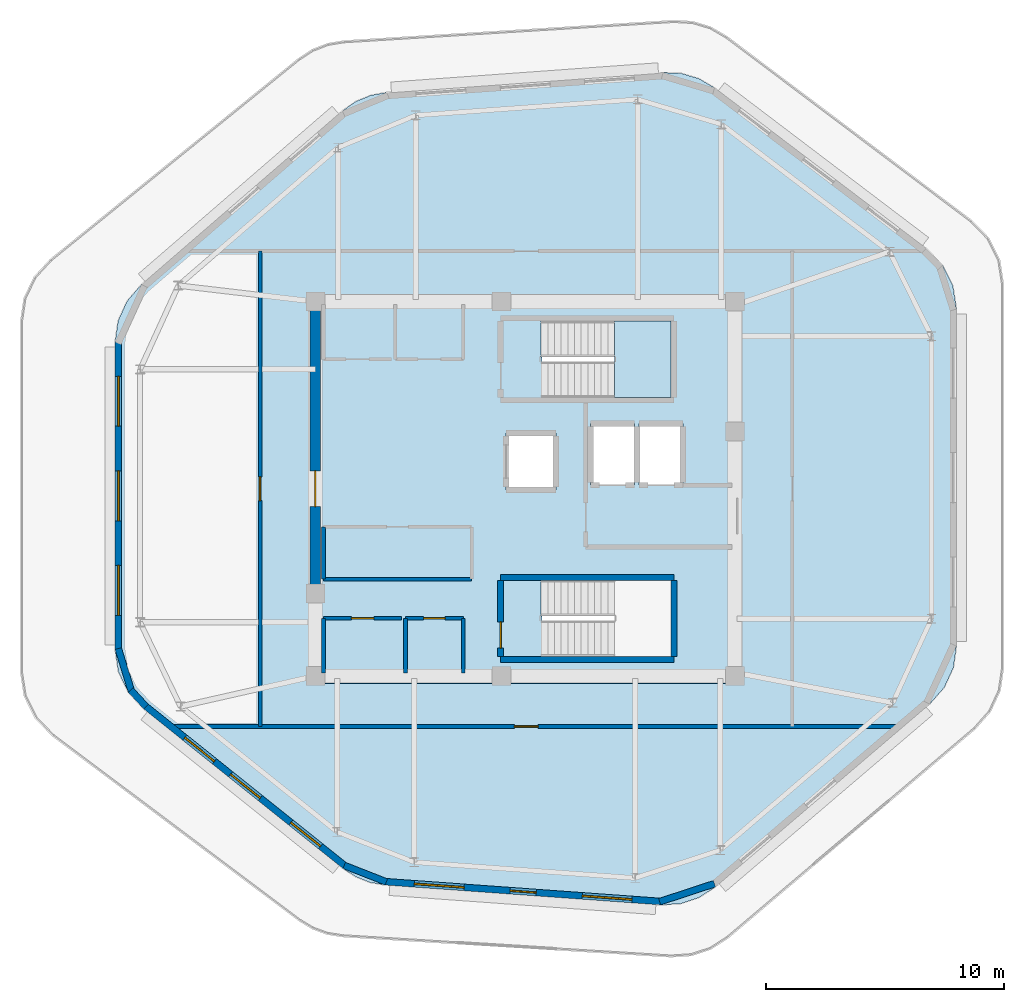
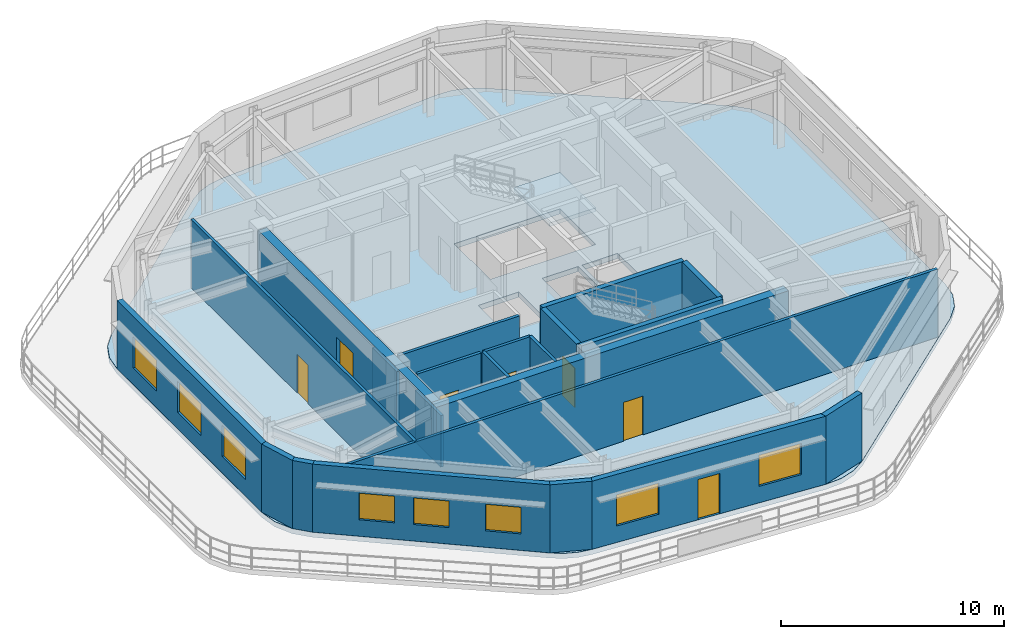
# One storey, part 2 of 7: 22 walls, 8 windows, 7 doors, 2 slabs, 15 openings, 1 element without a shape of its own.
"""IFC4 building model written with IfcOpenShell, lengths in metres."""

from ifc_helpers import new_model, si_unit, direction, frame, frame_2d, origin, place, context, subcontext, project, spatial, polyline, rectangle, outline, extrude, material, layer, layer_set, type_object, element, fill, aggregate, save


model = new_model("IFC4")

# Units and contexts
model_context = context("Model", 3, precision=1e-05, world=origin(), true_north=direction((0.0, 1.0)))
body_context = subcontext(model_context, "Body", "Model", "MODEL_VIEW")
ifc_project = project(units=[si_unit("LENGTHUNIT", "METRE"), si_unit("AREAUNIT", "SQUARE_METRE"), si_unit("VOLUMEUNIT", "CUBIC_METRE"), si_unit("PLANEANGLEUNIT", "RADIAN"), si_unit("MASSUNIT", "GRAM", prefix="KILO")], contexts=[model_context])

# Site, building, storey
site_placement = place(None, origin())
site = spatial("IfcSite", under=ifc_project, at=site_placement, CompositionType="ELEMENT")
building_placement = place(site_placement, origin())
building = spatial("IfcBuilding", under=site, at=building_placement, Name="Zulverin Broadcast Headquarters", CompositionType="ELEMENT")
storey_placement = place(building_placement, frame((0.0, 0.0, 321.39990234375)))
storey = spatial("IfcBuildingStorey", under=building, at=storey_placement, Name="C3", CompositionType="ELEMENT", Elevation=321.39990234375)

# Slab
ifc_material_1 = material(Name="Concrete C40/50", Category="concrete")
ifc_layer_1 = layer(ifc_material_1, 0.280029296875, Name="Concrete C40/50", Category="concrete")
ifc_layer_set_1 = layer_set([ifc_layer_1], Name="Concrete C40/50")
slab_type_1 = type_object("IfcSlabType", Name="SLB-CRN-280", PredefinedType="FLOOR", material=ifc_layer_set_1)
slab_1_placement = place(storey_placement, frame((0.0, 0.0, -0.27978515625)))
element("IfcSlab", 1, at=slab_1_placement, inside=storey, type_object=slab_type_1, Name="C3 Main Structural Floor Slab", PredefinedType="FLOOR", context=body_context, shape_type="SweptSolid", body=[
    extrude(outline(polyline([(31.790771484375, 9.22216796875), (32.330078125, 8.873046875), (32.927978515625, 8.638671875), (33.56103515625, 8.528564453125), (45.155029296875, 7.694091796875), (45.981689453125, 7.7421875), (46.768310546875, 8.00048828125), (47.462158203125, 8.451904296875), (56.477294921875, 16.14599609375), (57.083251953125, 16.83642578125), (57.468017578125, 17.670654296875), (57.60009765625, 18.579833984375), (57.60009765625, 32.762939453125), (57.4501953125, 33.730712890625), (57.014404296875, 34.60791015625), (56.333984375, 35.3125), (47.4248046875, 42.071044921875), (46.7626953125, 42.4580078125), (46.027099609375, 42.676513671875), (45.260986328125, 42.71337890625), (33.627685546875, 41.876220703125), (32.9560546875, 41.7548828125), (32.3251953125, 41.493896484375), (31.764404296875, 41.105224609375), (23.30712890625, 33.793212890625), (22.709228515625, 33.1044921875), (22.330078125, 32.275146484375), (22.199951171875, 31.37255859375), (22.199951171875, 18.4375), (22.341552734375, 17.49609375), (22.75390625, 16.637939453125), (23.400146484375, 15.939208984375), (31.790771484375, 9.22216796875)]), holes=[polyline([(40.155029296875, 30.75), (40.13037109375, 30.75), (40.13037109375, 32.25), (45.60009765625, 32.25), (45.60009765625, 29.050048828125), (40.155029296875, 29.050048828125), (40.155029296875, 30.75)]), polyline([(40.155029296875, 19.85009765625), (40.13037109375, 19.85009765625), (40.13037109375, 21.35009765625), (45.60009765625, 21.35009765625), (45.60009765625, 18.14990234375), (40.155029296875, 18.14990234375), (40.155029296875, 19.85009765625)]), polyline([(42.199951171875, 25.35009765625), (44.050048828125, 25.35009765625), (44.050048828125, 27.949951171875), (42.199951171875, 27.949951171875), (42.199951171875, 25.35009765625)]), polyline([(44.25, 25.35009765625), (46.10009765625, 25.35009765625), (46.10009765625, 27.949951171875), (44.25, 27.949951171875), (44.25, 25.35009765625)]), polyline([(38.64990234375, 25.14990234375), (40.75, 25.14990234375), (40.75, 27.550048828125), (38.64990234375, 27.550048828125), (38.64990234375, 25.14990234375)])]), origin(), (0.0, 0.0, 1.0), 0.27978515625),
])

# Stair, slab
stair_type = type_object("IfcStairType", Name="ST-CORE-1500", PredefinedType="HALF_TURN_STAIR", material=ifc_material_1)
stair_placement = place(storey_placement, origin())
stair = element("IfcStair", 2, at=stair_placement, inside=storey, type_object=stair_type, Name="C3 Core Exit Stair ST-1", PredefinedType="HALF_TURN_STAIR")
ifc_layer_2 = layer(ifc_material_1, 0.199951171875, Name="Concrete C40/50", Category="concrete")
ifc_layer_set_2 = layer_set([ifc_layer_2], Name="Concrete C40/50")
slab_type_2 = type_object("IfcSlabType", Name="SLB-ST-LND200", PredefinedType="LANDING", material=ifc_layer_set_2)
slab_2_placement = place(storey_placement, frame((0.0, 0.0, 1.800048828125)))
slab_2 = element("IfcSlab", 3, at=slab_2_placement, type_object=slab_type_2, Name="ST-1 landing 1", PredefinedType="LANDING", context=body_context, shape_type="SweptSolid", body=[
    extrude(outline(polyline([(43.2099609375, 29.050048828125), (45.60009765625, 29.050048828125), (45.60009765625, 32.25), (43.2099609375, 32.25), (43.2099609375, 29.050048828125)])), origin(), (0.0, 0.0, 1.0), 0.199951171875),
])
aggregate(stair, [slab_2])

# Wall
ifc_material_2 = material(Name="Concrete C50/60", Category="concrete")
ifc_layer_3 = layer(ifc_material_2, 0.449951171875, Name="Concrete C50/60", Category="concrete")
ifc_layer_set_3 = layer_set([ifc_layer_3], Name="Concrete C50/60")
wall_type_1 = type_object("IfcWallType", Name="WL-CORE-450", PredefinedType="SHEAR", material=ifc_layer_set_3)
wall_1_placement = place(storey_placement, frame((30.39990234375, 17.22509765625, 0.0), z_axis=(0.0, 0.0, 1.0), x_axis=(1.0, 0.0, 0.0)))
element("IfcWall", 4, at=wall_1_placement, inside=storey, type_object=wall_type_1, Name="C3 Core South Shear Wall", PredefinedType="SHEAR", context=body_context, shape_type="SweptSolid", body=[
    extrude(rectangle(XDim=18.2001953125, YDim=0.449951171875, at=frame_2d((9.10009765625, 0.0))), origin(), (0.0, 0.0, 1.0), 3.72021484375),
])

# Wall, opening, door
wall_2_placement = place(storey_placement, frame((30.625, 17.449951171875, 0.0), z_axis=(0.0, 0.0, 1.0), x_axis=(0.0, 1.0, 0.0)))
wall_2 = element("IfcWall", 5, at=wall_2_placement, inside=storey, type_object=wall_type_1, Name="C3 Core West Shear Wall", PredefinedType="SHEAR", context=body_context, shape_type="SweptSolid", body=[
    extrude(rectangle(XDim=15.5, YDim=0.449951171875, at=frame_2d((7.75, 0.0))), origin(), (0.0, 0.0, 1.0), 3.72021484375),
])
opening_1_placement = place(wall_2_placement, frame((7.0, 0.0, 0.0)))
opening_1 = element("IfcOpeningElement", 6, at=opening_1_placement, cuts=wall_2, Name="Opening D-C3-CW1", PredefinedType="OPENING", context=body_context, shape_type="SweptSolid", body=[
    extrude(rectangle(XDim=1.5, YDim=2.14990234375, at=frame_2d((0.75, 1.074951171875))), frame((0.0, 0.23486328125, 0.0), z_axis=(0.0, -1.0, 0.0), x_axis=(1.0, 0.0, 0.0)), (0.0, 0.0, 1.0), 0.469970703125),
])
ifc_material_3 = material(Name="Fire-rated glazed steel frame", Category="steel")
door_type_1 = type_object("IfcDoorType", Name="DR-COR-1500", OperationType="DOUBLE_DOOR_SINGLE_SWING", PredefinedType="DOOR", material=ifc_material_3)
door_1_placement = place(opening_1_placement, origin())
door_1 = element("IfcDoor", 7, at=door_1_placement, inside=storey, type_object=door_type_1, Name="C3 Central Lift Lobby West Portal Door", OperationType="DOUBLE_DOOR_SINGLE_SWING", OverallHeight=2.14990234375, OverallWidth=1.5, PredefinedType="DOOR", context=body_context, shape_type="SweptSolid", body=[
    extrude(rectangle(XDim=1.5, YDim=2.14990234375, at=frame_2d((0.75, 1.074951171875))), frame((0.0, 0.02490234375, 0.0), z_axis=(0.0, -1.0, 0.0), x_axis=(1.0, 0.0, 0.0)), (0.0, 0.0, 1.0), 0.050048828125),
])
fill(opening_1, door_1)

# Wall, openings, door, windows
ifc_material_4 = material(Name="Insulated pale-metal clad concrete spandrel C40/50", Category="concrete")
ifc_layer_4 = layer(ifc_material_4, 0.280029296875, Name="Insulated pale-metal clad concrete spandrel C40/50", Category="concrete")
ifc_layer_set_4 = layer_set([ifc_layer_4], Name="Insulated pale-metal clad concrete spandrel C40/50")
wall_type_2 = type_object("IfcWallType", Name="WL-EXT-280", PredefinedType="STANDARD", material=ifc_layer_set_4)
wall_3_placement = place(storey_placement, frame((33.571044921875, 8.668212890625, 0.0), z_axis=(0.0, 0.0, 1.0), x_axis=(0.997419851389, -0.071788857463, 0.0)))
wall_3 = element("IfcWall", 8, at=wall_3_placement, inside=storey, type_object=wall_type_2, Name="C3 Pale-Metal Clad Spandrel Wall 1", PredefinedType="STANDARD", context=body_context, shape_type="SweptSolid", body=[
    extrude(rectangle(XDim=11.6240234375, YDim=0.280029296875, at=frame_2d((5.81201171875, 0.0))), origin(), (0.0, 0.0, 1.0), 3.72021484375),
])
opening_2_placement = place(wall_3_placement, frame((5.26220703125, 0.0, 0.0)))
opening_2 = element("IfcOpeningElement", 9, at=opening_2_placement, cuts=wall_3, Name="Opening D-C3-TR1", PredefinedType="OPENING", context=body_context, shape_type="SweptSolid", body=[
    extrude(rectangle(XDim=1.10009765625, YDim=2.199951171875, at=frame_2d((0.550048828125, 1.10009765625))), frame((0.0, 0.14990234375, 0.0), z_axis=(0.0, -1.0, 0.0), x_axis=(1.0, 0.0, 0.0)), (0.0, 0.0, 1.0), 0.300048828125),
])
opening_3_placement = place(wall_3_placement, frame((1.220703125, 0.0, 0.89990234375)))
opening_3 = element("IfcOpeningElement", 10, at=opening_3_placement, cuts=wall_3, Name="Opening W-C3-E11", PredefinedType="OPENING", context=body_context, shape_type="SweptSolid", body=[
    extrude(rectangle(XDim=2.10009765625, YDim=1.699951171875, at=frame_2d((1.050048828125, 0.85009765625))), frame((0.0, 0.14990234375, 0.0), z_axis=(0.0, -1.0, 0.0), x_axis=(1.0, 0.0, 0.0)), (0.0, 0.0, 1.0), 0.300048828125),
])
opening_4_placement = place(wall_3_placement, frame((8.303466796875, 0.0, 0.89990234375)))
opening_4 = element("IfcOpeningElement", 11, at=opening_4_placement, cuts=wall_3, Name="Opening W-C3-E12", PredefinedType="OPENING", context=body_context, shape_type="SweptSolid", body=[
    extrude(rectangle(XDim=2.10009765625, YDim=1.699951171875, at=frame_2d((1.050048828125, 0.85009765625))), frame((0.0, 0.14990234375, 0.0), z_axis=(0.0, -1.0, 0.0), x_axis=(1.0, 0.0, 0.0)), (0.0, 0.0, 1.0), 0.300048828125),
])
ifc_material_5 = material(Name="Thermally broken aluminium glazed", Category="aluminium")
door_type_2 = type_object("IfcDoorType", Name="DR-TERR-1100", OperationType="SINGLE_SWING_RIGHT", PredefinedType="DOOR", material=ifc_material_5)
door_2_placement = place(opening_2_placement, origin())
door_2 = element("IfcDoor", 12, at=door_2_placement, inside=storey, type_object=door_type_2, Name="C3 Planted Terrace Glazed Access Door 1", OperationType="SINGLE_SWING_RIGHT", OverallHeight=2.199951171875, OverallWidth=1.10009765625, PredefinedType="DOOR", context=body_context, shape_type="SweptSolid", body=[
    extrude(rectangle(XDim=1.10009765625, YDim=2.199951171875, at=frame_2d((0.550048828125, 1.10009765625))), frame((0.0, 0.02490234375, 0.0), z_axis=(0.0, -1.0, 0.0), x_axis=(1.0, 0.0, 0.0)), (0.0, 0.0, 1.0), 0.050048828125),
])
fill(opening_2, door_2)
ifc_material_6 = material(Name="Pale anodized aluminium frame with solar-control low-E double glazing", Category="aluminium")
window_type_1 = type_object("IfcWindowType", Name="WIN-CRN-2100", PartitioningType="SINGLE_PANEL", PredefinedType="WINDOW", material=ifc_material_6)
window_1_placement = place(opening_3_placement, origin())
window_1 = element("IfcWindow", 13, at=window_1_placement, inside=storey, type_object=window_type_1, Name="C3 Ribbon Glazing Window 1 1", OverallHeight=1.699951171875, OverallWidth=2.10009765625, PartitioningType="SINGLE_PANEL", PredefinedType="WINDOW", context=body_context, shape_type="SweptSolid", body=[
    extrude(rectangle(XDim=2.10009765625, YDim=1.699951171875, at=frame_2d((1.050048828125, 0.85009765625))), frame((0.0, 0.030029296875, 0.0), z_axis=(0.0, -1.0, 0.0), x_axis=(1.0, 0.0, 0.0)), (0.0, 0.0, 1.0), 0.06005859375),
])
fill(opening_3, window_1)
window_2_placement = place(opening_4_placement, origin())
window_2 = element("IfcWindow", 14, at=window_2_placement, inside=storey, type_object=window_type_1, Name="C3 Ribbon Glazing Window 1 2", OverallHeight=1.699951171875, OverallWidth=2.10009765625, PartitioningType="SINGLE_PANEL", PredefinedType="WINDOW", context=body_context, shape_type="SweptSolid", body=[
    extrude(rectangle(XDim=2.10009765625, YDim=1.699951171875, at=frame_2d((1.050048828125, 0.85009765625))), frame((0.0, 0.030029296875, 0.0), z_axis=(0.0, -1.0, 0.0), x_axis=(1.0, 0.0, 0.0)), (0.0, 0.0, 1.0), 0.06005859375),
])
fill(opening_4, window_2)

# Wall, openings, windows
wall_4_placement = place(storey_placement, frame((22.340087890625, 31.37255859375, 0.0), z_axis=(0.0, 0.0, 1.0), x_axis=(0.0, -1.0, 0.0)))
wall_4 = element("IfcWall", 15, at=wall_4_placement, inside=storey, type_object=wall_type_2, Name="C3 Pale-Metal Clad Spandrel Wall 7", PredefinedType="STANDARD", context=body_context, shape_type="SweptSolid", body=[
    extrude(rectangle(XDim=12.93505859375, YDim=0.280029296875, at=frame_2d((6.467529296875, 0.0))), origin(), (0.0, 0.0, 1.0), 3.72021484375),
])
opening_5_placement = place(wall_4_placement, frame((1.439208984375, 0.0, 0.89990234375)))
opening_5 = element("IfcOpeningElement", 16, at=opening_5_placement, cuts=wall_4, Name="Opening W-C3-E71", PredefinedType="OPENING", context=body_context, shape_type="SweptSolid", body=[
    extrude(rectangle(XDim=2.10009765625, YDim=1.699951171875, at=frame_2d((1.050048828125, 0.85009765625))), frame((0.0, 0.14990234375, 0.0), z_axis=(0.0, -1.0, 0.0), x_axis=(1.0, 0.0, 0.0)), (0.0, 0.0, 1.0), 0.300048828125),
])
opening_6_placement = place(wall_4_placement, frame((5.41748046875, 0.0, 0.89990234375)))
opening_6 = element("IfcOpeningElement", 17, at=opening_6_placement, cuts=wall_4, Name="Opening W-C3-E72", PredefinedType="OPENING", context=body_context, shape_type="SweptSolid", body=[
    extrude(rectangle(XDim=2.10009765625, YDim=1.699951171875, at=frame_2d((1.050048828125, 0.85009765625))), frame((0.0, 0.14990234375, 0.0), z_axis=(0.0, -1.0, 0.0), x_axis=(1.0, 0.0, 0.0)), (0.0, 0.0, 1.0), 0.300048828125),
])
opening_7_placement = place(wall_4_placement, frame((9.39599609375, 0.0, 0.89990234375)))
opening_7 = element("IfcOpeningElement", 18, at=opening_7_placement, cuts=wall_4, Name="Opening W-C3-E73", PredefinedType="OPENING", context=body_context, shape_type="SweptSolid", body=[
    extrude(rectangle(XDim=2.10009765625, YDim=1.699951171875, at=frame_2d((1.050048828125, 0.85009765625))), frame((0.0, 0.14990234375, 0.0), z_axis=(0.0, -1.0, 0.0), x_axis=(1.0, 0.0, 0.0)), (0.0, 0.0, 1.0), 0.300048828125),
])
window_3_placement = place(opening_5_placement, origin())
window_3 = element("IfcWindow", 19, at=window_3_placement, inside=storey, type_object=window_type_1, Name="C3 Ribbon Glazing Window 7 1", OverallHeight=1.699951171875, OverallWidth=2.10009765625, PartitioningType="SINGLE_PANEL", PredefinedType="WINDOW", context=body_context, shape_type="SweptSolid", body=[
    extrude(rectangle(XDim=2.10009765625, YDim=1.699951171875, at=frame_2d((1.050048828125, 0.85009765625))), frame((0.0, 0.030029296875, 0.0), z_axis=(0.0, -1.0, 0.0), x_axis=(1.0, 0.0, 0.0)), (0.0, 0.0, 1.0), 0.06005859375),
])
fill(opening_5, window_3)
window_4_placement = place(opening_6_placement, origin())
window_4 = element("IfcWindow", 20, at=window_4_placement, inside=storey, type_object=window_type_1, Name="C3 Ribbon Glazing Window 7 2", OverallHeight=1.699951171875, OverallWidth=2.10009765625, PartitioningType="SINGLE_PANEL", PredefinedType="WINDOW", context=body_context, shape_type="SweptSolid", body=[
    extrude(rectangle(XDim=2.10009765625, YDim=1.699951171875, at=frame_2d((1.050048828125, 0.85009765625))), frame((0.0, 0.030029296875, 0.0), z_axis=(0.0, -1.0, 0.0), x_axis=(1.0, 0.0, 0.0)), (0.0, 0.0, 1.0), 0.06005859375),
])
fill(opening_6, window_4)
window_5_placement = place(opening_7_placement, origin())
window_5 = element("IfcWindow", 21, at=window_5_placement, inside=storey, type_object=window_type_1, Name="C3 Ribbon Glazing Window 7 3", OverallHeight=1.699951171875, OverallWidth=2.10009765625, PartitioningType="SINGLE_PANEL", PredefinedType="WINDOW", context=body_context, shape_type="SweptSolid", body=[
    extrude(rectangle(XDim=2.10009765625, YDim=1.699951171875, at=frame_2d((1.050048828125, 0.85009765625))), frame((0.0, 0.030029296875, 0.0), z_axis=(0.0, -1.0, 0.0), x_axis=(1.0, 0.0, 0.0)), (0.0, 0.0, 1.0), 0.06005859375),
])
fill(opening_7, window_5)

wall_5_placement = place(storey_placement, frame((23.48779296875, 16.048583984375, 0.0), z_axis=(0.0, 0.0, 1.0), x_axis=(0.780662671576, -0.624952632771, 0.0)))
wall_5 = element("IfcWall", 22, at=wall_5_placement, inside=storey, type_object=wall_type_2, Name="C3 Pale-Metal Clad Spandrel Wall 8", PredefinedType="STANDARD", context=body_context, shape_type="SweptSolid", body=[
    extrude(rectangle(XDim=10.748046875, YDim=0.280029296875, at=frame_2d((5.3740234375, 0.0))), origin(), (0.0, 0.0, 1.0), 3.72021484375),
])
opening_8_placement = place(wall_5_placement, frame((2.104736328125, 0.0, 0.89990234375)))
opening_8 = element("IfcOpeningElement", 23, at=opening_8_placement, cuts=wall_5, Name="Opening W-C3-E81", PredefinedType="OPENING", context=body_context, shape_type="SweptSolid", body=[
    extrude(rectangle(XDim=1.60009765625, YDim=1.449951171875, at=frame_2d((0.800048828125, 0.72509765625))), frame((0.0, 0.14990234375, 0.0), z_axis=(0.0, -1.0, 0.0), x_axis=(1.0, 0.0, 0.0)), (0.0, 0.0, 1.0), 0.300048828125),
])
opening_9_placement = place(wall_5_placement, frame((4.573974609375, 0.0, 0.89990234375)))
opening_9 = element("IfcOpeningElement", 24, at=opening_9_placement, cuts=wall_5, Name="Opening W-C3-E82", PredefinedType="OPENING", context=body_context, shape_type="SweptSolid", body=[
    extrude(rectangle(XDim=1.60009765625, YDim=1.449951171875, at=frame_2d((0.800048828125, 0.72509765625))), frame((0.0, 0.14990234375, 0.0), z_axis=(0.0, -1.0, 0.0), x_axis=(1.0, 0.0, 0.0)), (0.0, 0.0, 1.0), 0.300048828125),
])
opening_10_placement = place(wall_5_placement, frame((7.823486328125, 0.0, 0.89990234375)))
opening_10 = element("IfcOpeningElement", 25, at=opening_10_placement, cuts=wall_5, Name="Opening W-C3-E83", PredefinedType="OPENING", context=body_context, shape_type="SweptSolid", body=[
    extrude(rectangle(XDim=1.60009765625, YDim=1.449951171875, at=frame_2d((0.800048828125, 0.72509765625))), frame((0.0, 0.14990234375, 0.0), z_axis=(0.0, -1.0, 0.0), x_axis=(1.0, 0.0, 0.0)), (0.0, 0.0, 1.0), 0.300048828125),
])
window_type_2 = type_object("IfcWindowType", Name="WIN-CRN-1600", PartitioningType="SINGLE_PANEL", PredefinedType="WINDOW", material=ifc_material_6)
window_6_placement = place(opening_8_placement, origin())
window_6 = element("IfcWindow", 26, at=window_6_placement, inside=storey, type_object=window_type_2, Name="C3 Ribbon Glazing Window 8 1", OverallHeight=1.449951171875, OverallWidth=1.60009765625, PartitioningType="SINGLE_PANEL", PredefinedType="WINDOW", context=body_context, shape_type="SweptSolid", body=[
    extrude(rectangle(XDim=1.60009765625, YDim=1.449951171875, at=frame_2d((0.800048828125, 0.72509765625))), frame((0.0, 0.030029296875, 0.0), z_axis=(0.0, -1.0, 0.0), x_axis=(1.0, 0.0, 0.0)), (0.0, 0.0, 1.0), 0.06005859375),
])
fill(opening_8, window_6)
window_7_placement = place(opening_9_placement, origin())
window_7 = element("IfcWindow", 27, at=window_7_placement, inside=storey, type_object=window_type_2, Name="C3 Ribbon Glazing Window 8 2", OverallHeight=1.449951171875, OverallWidth=1.60009765625, PartitioningType="SINGLE_PANEL", PredefinedType="WINDOW", context=body_context, shape_type="SweptSolid", body=[
    extrude(rectangle(XDim=1.60009765625, YDim=1.449951171875, at=frame_2d((0.800048828125, 0.72509765625))), frame((0.0, 0.030029296875, 0.0), z_axis=(0.0, -1.0, 0.0), x_axis=(1.0, 0.0, 0.0)), (0.0, 0.0, 1.0), 0.06005859375),
])
fill(opening_9, window_7)
window_8_placement = place(opening_10_placement, origin())
window_8 = element("IfcWindow", 28, at=window_8_placement, inside=storey, type_object=window_type_2, Name="C3 Ribbon Glazing Window 8 3", OverallHeight=1.449951171875, OverallWidth=1.60009765625, PartitioningType="SINGLE_PANEL", PredefinedType="WINDOW", context=body_context, shape_type="SweptSolid", body=[
    extrude(rectangle(XDim=1.60009765625, YDim=1.449951171875, at=frame_2d((0.800048828125, 0.72509765625))), frame((0.0, 0.030029296875, 0.0), z_axis=(0.0, -1.0, 0.0), x_axis=(1.0, 0.0, 0.0)), (0.0, 0.0, 1.0), 0.06005859375),
])
fill(opening_10, window_8)

# Walls
wall_6_placement = place(storey_placement, frame((45.111328125, 7.8271484375, 0.0), z_axis=(0.0, 0.0, 1.0), x_axis=(0.9500615591, 0.31206254809, 0.0)))
element("IfcWall", 29, at=wall_6_placement, inside=storey, type_object=wall_type_2, Name="C3 Wind-Shaped Corner Spandrel Wall 1-1", PredefinedType="STANDARD", context=body_context, shape_type="SweptSolid", body=[
    extrude(rectangle(XDim=2.428466796875, YDim=0.280029296875, at=frame_2d((1.21435546875, 0.0))), origin(), (0.0, 0.0, 1.0), 3.72021484375),
])
wall_7_placement = place(storey_placement, frame((22.333740234375, 18.478515625, 0.0), z_axis=(0.0, 0.0, 1.0), x_axis=(0.294240758337, -0.955731330518, 0.0)))
element("IfcWall", 30, at=wall_7_placement, inside=storey, type_object=wall_type_2, Name="C3 Wind-Shaped Corner Spandrel Wall 7-1", PredefinedType="STANDARD", context=body_context, shape_type="SweptSolid", body=[
    extrude(rectangle(XDim=1.882568359375, YDim=0.280029296875, at=frame_2d((0.94140625, 0.0))), origin(), (0.0, 0.0, 1.0), 3.72021484375),
])
wall_8_placement = place(storey_placement, frame((22.856689453125, 16.733154296875, 0.0), z_axis=(0.0, 0.0, 1.0), x_axis=(0.678865744193, -0.734262419957, 0.0)))
element("IfcWall", 31, at=wall_8_placement, inside=storey, type_object=wall_type_2, Name="C3 Wind-Shaped Corner Spandrel Wall 7-2", PredefinedType="STANDARD", context=body_context, shape_type="SweptSolid", body=[
    extrude(rectangle(XDim=0.951904296875, YDim=0.280029296875, at=frame_2d((0.47607421875, 0.0))), origin(), (0.0, 0.0, 1.0), 3.72021484375),
])
wall_9_placement = place(storey_placement, frame((31.841796875, 9.3525390625, 0.0), z_axis=(0.0, 0.0, 1.0), x_axis=(0.931039929506, -0.364917318943, 0.0)))
element("IfcWall", 32, at=wall_9_placement, inside=storey, type_object=wall_type_2, Name="C3 Wind-Shaped Corner Spandrel Wall 8-1", PredefinedType="STANDARD", context=body_context, shape_type="SweptSolid", body=[
    extrude(rectangle(XDim=1.9013671875, YDim=0.280029296875, at=frame_2d((0.95068359375, 0.0))), origin(), (0.0, 0.0, 1.0), 3.72021484375),
])

# Wall, opening, door
ifc_material_7 = material(Name="Fire-rated gypsum stud partition", Category="gypsum")
ifc_layer_5 = layer(ifc_material_7, 0.14990234375, Name="Fire-rated gypsum stud partition", Category="gypsum")
ifc_layer_set_5 = layer_set([ifc_layer_5], Name="Fire-rated gypsum stud partition")
wall_type_3 = type_object("IfcWallType", Name="WL-PART-150", PredefinedType="PARTITIONING", material=ifc_layer_set_5)
wall_10_placement = place(storey_placement, frame((30.969970703125, 19.75, 0.0), z_axis=(0.0, 0.0, 1.0), x_axis=(1.0, 0.0, 0.0)))
wall_10 = element("IfcWall", 33, at=wall_10_placement, inside=storey, type_object=wall_type_3, Name="C3 Core Female WC Front Wall", PredefinedType="PARTITIONING", context=body_context, shape_type="SweptSolid", body=[
    extrude(rectangle(XDim=3.2900390625, YDim=0.14990234375, at=frame_2d((1.64501953125, 0.0))), origin(), (0.0, 0.0, 1.0), 3.72021484375),
])
opening_11_placement = place(wall_10_placement, frame((1.169921875, 0.0, 0.0)))
opening_11 = element("IfcOpeningElement", 34, at=opening_11_placement, cuts=wall_10, Name="Opening D-C3-SC1", PredefinedType="OPENING", context=body_context, shape_type="SweptSolid", body=[
    extrude(rectangle(XDim=0.949951171875, YDim=2.10009765625, at=frame_2d((0.47509765625, 1.050048828125))), frame((0.0, 0.0849609375, 0.0), z_axis=(0.0, -1.0, 0.0), x_axis=(1.0, 0.0, 0.0)), (0.0, 0.0, 1.0), 0.169921875),
])
ifc_material_8 = material(Name="Fire-rated moisture-resistant laminate leaf", Category="wood")
door_type_3 = type_object("IfcDoorType", Name="DR-WC-950", OperationType="SINGLE_SWING_LEFT", PredefinedType="DOOR", material=ifc_material_8)
door_3_placement = place(opening_11_placement, origin())
door_3 = element("IfcDoor", 35, at=door_3_placement, inside=storey, type_object=door_type_3, Name="C3 Female WC Door", OperationType="SINGLE_SWING_LEFT", OverallHeight=2.10009765625, OverallWidth=0.949951171875, PredefinedType="DOOR", context=body_context, shape_type="SweptSolid", body=[
    extrude(rectangle(XDim=0.949951171875, YDim=2.10009765625, at=frame_2d((0.47509765625, 1.050048828125))), frame((0.0, 0.02490234375, 0.0), z_axis=(0.0, -1.0, 0.0), x_axis=(1.0, 0.0, 0.0)), (0.0, 0.0, 1.0), 0.050048828125),
])
fill(opening_11, door_3)

# Wall
wall_11_placement = place(storey_placement, frame((30.969970703125, 17.449951171875, 0.0), z_axis=(0.0, 0.0, 1.0), x_axis=(0.0, 1.0, 0.0)))
element("IfcWall", 36, at=wall_11_placement, inside=storey, type_object=wall_type_3, Name="C3 Core Female WC West Wall", PredefinedType="PARTITIONING", context=body_context, shape_type="SweptSolid", body=[
    extrude(rectangle(XDim=2.300048828125, YDim=0.14990234375, at=frame_2d((1.14990234375, 0.0))), origin(), (0.0, 0.0, 1.0), 2.820068359375),
])

# Wall, opening, door
wall_12_placement = place(storey_placement, frame((34.419921875, 19.75, 0.0), z_axis=(0.0, 0.0, 1.0), x_axis=(1.0, 0.0, 0.0)))
wall_12 = element("IfcWall", 37, at=wall_12_placement, inside=storey, type_object=wall_type_3, Name="C3 Core Cleaner Store & Telecoms Riser Front Wall", PredefinedType="PARTITIONING", context=body_context, shape_type="SweptSolid", body=[
    extrude(rectangle(XDim=2.43017578125, YDim=0.14990234375, at=frame_2d((1.215087890625, 0.0))), origin(), (0.0, 0.0, 1.0), 3.72021484375),
])
opening_12_placement = place(wall_12_placement, frame((0.764892578125, 0.0, 0.0)))
opening_12 = element("IfcOpeningElement", 38, at=opening_12_placement, cuts=wall_12, Name="Opening D-C3-SC2", PredefinedType="OPENING", context=body_context, shape_type="SweptSolid", body=[
    extrude(rectangle(XDim=0.89990234375, YDim=2.10009765625, at=frame_2d((0.449951171875, 1.050048828125))), frame((0.0, 0.0849609375, 0.0), z_axis=(0.0, -1.0, 0.0), x_axis=(1.0, 0.0, 0.0)), (0.0, 0.0, 1.0), 0.169921875),
])
ifc_material_9 = material(Name="Powder-coated steel access leaf", Category="steel")
door_type_4 = type_object("IfcDoorType", Name="DR-RISER-900", OperationType="SINGLE_SWING_LEFT", PredefinedType="DOOR", material=ifc_material_9)
door_4_placement = place(opening_12_placement, origin())
door_4 = element("IfcDoor", 39, at=door_4_placement, inside=storey, type_object=door_type_4, Name="C3 Cleaner Store & Telecoms Riser Door", OperationType="SINGLE_SWING_RIGHT", OverallHeight=2.10009765625, OverallWidth=0.89990234375, PredefinedType="DOOR", context=body_context, shape_type="SweptSolid", body=[
    extrude(rectangle(XDim=0.89990234375, YDim=2.10009765625, at=frame_2d((0.449951171875, 1.050048828125))), frame((0.0, 0.02490234375, 0.0), z_axis=(0.0, -1.0, 0.0), x_axis=(1.0, 0.0, 0.0)), (0.0, 0.0, 1.0), 0.050048828125),
])
fill(opening_12, door_4)

# Walls
for number, where, z_axis, x_axis, name in (
    (40, (34.419921875, 17.449951171875, 0.0), (0.0, 0.0, 1.0), (0.0, 1.0, 0.0), "C3 Core Cleaner Store & Telecoms Riser West Wall"),
    (41, (36.85009765625, 17.449951171875, 0.0), (0.0, 0.0, 1.0), (0.0, 1.0, 0.0), "C3 Core Cleaner Store & Telecoms Riser East Wall"),
):
    element("IfcWall", number, at=place(storey_placement, frame(where, z_axis=z_axis, x_axis=x_axis)), inside=storey, type_object=wall_type_3, Name=name, PredefinedType="PARTITIONING", context=body_context, shape_type="SweptSolid", body=[
        extrude(rectangle(XDim=2.300048828125, YDim=0.14990234375, at=frame_2d((1.14990234375, 0.0))), origin(), (0.0, 0.0, 1.0), 3.72021484375),
    ])
wall_13_placement = place(storey_placement, frame((30.969970703125, 21.39990234375, 0.0), z_axis=(0.0, 0.0, 1.0), x_axis=(1.0, 0.0, 0.0)))
element("IfcWall", 42, at=wall_13_placement, inside=storey, type_object=wall_type_3, Name="C3 Optical Telemetry Hub Plant Room S Wall", PredefinedType="PARTITIONING", context=body_context, shape_type="SweptSolid", body=[
    extrude(rectangle(XDim=6.22998046875, YDim=0.14990234375, at=frame_2d((3.114990234375, 0.0))), origin(), (0.0, 0.0, 1.0), 3.72021484375),
])
wall_14_placement = place(storey_placement, frame((30.969970703125, 21.39990234375, 0.0), z_axis=(0.0, 0.0, 1.0), x_axis=(0.0, 1.0, 0.0)))
element("IfcWall", 43, at=wall_14_placement, inside=storey, type_object=wall_type_3, Name="C3 Optical Telemetry Hub Plant Room W Wall", PredefinedType="PARTITIONING", context=body_context, shape_type="SweptSolid", body=[
    extrude(rectangle(XDim=2.2001953125, YDim=0.14990234375, at=frame_2d((1.10009765625, 0.0))), origin(), (0.0, 0.0, 1.0), 2.820068359375),
])

# Wall, opening, door
wall_15_placement = place(storey_placement, frame((28.300048828125, 15.199951171875, 0.0), z_axis=(0.0, 0.0, 1.0), x_axis=(0.0, 1.0, 0.0)))
wall_15 = element("IfcWall", 44, at=wall_15_placement, inside=storey, type_object=wall_type_3, Name="C3 Gallery Partition Wall CG-02", PredefinedType="PARTITIONING", context=body_context, shape_type="SweptSolid", body=[
    extrude(rectangle(XDim=20.0, YDim=0.14990234375, at=frame_2d((10.0, 0.0))), origin(), (0.0, 0.0, 1.0), 3.72021484375),
])
opening_13_placement = place(wall_15_placement, frame((9.5, 0.0, 0.0)))
opening_13 = element("IfcOpeningElement", 45, at=opening_13_placement, cuts=wall_15, Name="Opening D-C3-CR1", PredefinedType="OPENING", context=body_context, shape_type="SweptSolid", body=[
    extrude(rectangle(XDim=1.0, YDim=2.1201171875, at=frame_2d((0.5, 1.06005859375))), frame((0.0, 0.0849609375, 0.0), z_axis=(0.0, -1.0, 0.0), x_axis=(1.0, 0.0, 0.0)), (0.0, 0.0, 1.0), 0.169921875),
])
ifc_material_10 = material(Name="Hardwood veneer acoustic leaf", Category="wood")
door_type_5 = type_object("IfcDoorType", Name="DR-OFF-1000", OperationType="SINGLE_SWING_LEFT", PredefinedType="DOOR", material=ifc_material_10)
door_5_placement = place(opening_13_placement, origin())
door_5 = element("IfcDoor", 46, at=door_5_placement, inside=storey, type_object=door_type_5, Name="C3 Crown Terrace Access Lounge Door", OperationType="SINGLE_SWING_RIGHT", OverallHeight=2.1201171875, OverallWidth=1.0, PredefinedType="DOOR", context=body_context, shape_type="SweptSolid", body=[
    extrude(rectangle(XDim=1.0, YDim=2.1201171875, at=frame_2d((0.5, 1.06005859375))), frame((0.0, 0.02490234375, 0.0), z_axis=(0.0, -1.0, 0.0), x_axis=(1.0, 0.0, 0.0)), (0.0, 0.0, 1.0), 0.050048828125),
])
fill(opening_13, door_5)

wall_16_placement = place(storey_placement, frame((24.463623046875, 15.199951171875, 0.0), z_axis=(0.0, 0.0, 1.0), x_axis=(1.0, 0.0, 0.0)))
wall_16 = element("IfcWall", 47, at=wall_16_placement, inside=storey, type_object=wall_type_3, Name="C3 Gallery Partition Wall CG-03", PredefinedType="PARTITIONING", context=body_context, shape_type="SweptSolid", body=[
    extrude(rectangle(XDim=30.765380859375, YDim=0.14990234375, at=frame_2d((15.3828125, 0.0))), origin(), (0.0, 0.0, 1.0), 3.72021484375),
])
opening_14_placement = place(wall_16_placement, frame((14.536376953125, 0.0, 0.0)))
opening_14 = element("IfcOpeningElement", 48, at=opening_14_placement, cuts=wall_16, Name="Opening D-C3-CR4", PredefinedType="OPENING", context=body_context, shape_type="SweptSolid", body=[
    extrude(rectangle(XDim=1.0, YDim=2.1201171875, at=frame_2d((0.5, 1.06005859375))), frame((0.0, 0.0849609375, 0.0), z_axis=(0.0, -1.0, 0.0), x_axis=(1.0, 0.0, 0.0)), (0.0, 0.0, 1.0), 0.169921875),
])
door_6_placement = place(opening_14_placement, origin())
door_6 = element("IfcDoor", 49, at=door_6_placement, inside=storey, type_object=door_type_5, Name="C3 Microwave & Satellite Link Plant Room Door", OperationType="SINGLE_SWING_LEFT", OverallHeight=2.1201171875, OverallWidth=1.0, PredefinedType="DOOR", context=body_context, shape_type="SweptSolid", body=[
    extrude(rectangle(XDim=1.0, YDim=2.1201171875, at=frame_2d((0.5, 1.06005859375))), frame((0.0, 0.02490234375, 0.0), z_axis=(0.0, -1.0, 0.0), x_axis=(1.0, 0.0, 0.0)), (0.0, 0.0, 1.0), 0.050048828125),
])
fill(opening_14, door_6)

# Walls
ifc_layer_6 = layer(ifc_material_2, 0.25, Name="Concrete C50/60", Category="concrete")
ifc_layer_set_6 = layer_set([ifc_layer_6], Name="Concrete C50/60")
wall_type_4 = type_object("IfcWallType", Name="WL-SHAFT-250", PredefinedType="SHEAR", material=ifc_layer_set_6)
for number, where, z_axis, x_axis, name in (
    (50, (38.425048828125, 18.02490234375, 0.0), (0.0, 0.0, 1.0), (1.0, 0.0, 0.0), "C3 ST-2 Enclosure Wall S"),
    (51, (38.425048828125, 21.47509765625, 0.0), (0.0, 0.0, 1.0), (1.0, 0.0, 0.0), "C3 ST-2 Enclosure Wall N"),
):
    element("IfcWall", number, at=place(storey_placement, frame(where, z_axis=z_axis, x_axis=x_axis)), inside=storey, type_object=wall_type_4, Name=name, PredefinedType="SHEAR", context=body_context, shape_type="SweptSolid", body=[
        extrude(rectangle(XDim=7.300048828125, YDim=0.25, at=frame_2d((3.64990234375, 0.0))), origin(), (0.0, 0.0, 1.0), 3.72021484375),
    ])

# Wall, opening, door
wall_17_placement = place(storey_placement, frame((38.425048828125, 18.14990234375, 0.0), z_axis=(0.0, 0.0, 1.0), x_axis=(0.0, 1.0, 0.0)))
wall_17 = element("IfcWall", 52, at=wall_17_placement, inside=storey, type_object=wall_type_4, Name="C3 ST-2 Enclosure Wall W", PredefinedType="SHEAR", context=body_context, shape_type="SweptSolid", body=[
    extrude(rectangle(XDim=3.2001953125, YDim=0.25, at=frame_2d((1.60009765625, 0.0))), origin(), (0.0, 0.0, 1.0), 3.72021484375),
])
opening_15_placement = place(wall_17_placement, frame((0.35009765625, 0.0, 0.0)))
opening_15 = element("IfcOpeningElement", 53, at=opening_15_placement, cuts=wall_17, Name="Opening D-C3-ST-2", PredefinedType="OPENING", context=body_context, shape_type="SweptSolid", body=[
    extrude(rectangle(XDim=1.10009765625, YDim=2.14990234375, at=frame_2d((0.550048828125, 1.074951171875))), frame((0.0, 0.135009765625, 0.0), z_axis=(0.0, -1.0, 0.0), x_axis=(1.0, 0.0, 0.0)), (0.0, 0.0, 1.0), 0.27001953125),
])
ifc_material_11 = material(Name="Fire-rated steel leaf and frame", Category="steel")
door_type_6 = type_object("IfcDoorType", Name="DR-STAIR-1100", OperationType="SINGLE_SWING_LEFT", PredefinedType="DOOR", material=ifc_material_11)
door_7_placement = place(opening_15_placement, origin())
door_7 = element("IfcDoor", 54, at=door_7_placement, inside=storey, type_object=door_type_6, Name="C3 Exit Stair ST-2 Fire Door", OperationType="SINGLE_SWING_RIGHT", OverallHeight=2.14990234375, OverallWidth=1.10009765625, PredefinedType="DOOR", context=body_context, shape_type="SweptSolid", body=[
    extrude(rectangle(XDim=1.10009765625, YDim=2.14990234375, at=frame_2d((0.550048828125, 1.074951171875))), frame((0.0, 0.02490234375, 0.0), z_axis=(0.0, -1.0, 0.0), x_axis=(1.0, 0.0, 0.0)), (0.0, 0.0, 1.0), 0.050048828125),
])
fill(opening_15, door_7)

# Wall
wall_18_placement = place(storey_placement, frame((45.72509765625, 18.14990234375, 0.0), z_axis=(0.0, 0.0, 1.0), x_axis=(0.0, 1.0, 0.0)))
element("IfcWall", 55, at=wall_18_placement, inside=storey, type_object=wall_type_4, Name="C3 ST-2 Enclosure Wall E", PredefinedType="SHEAR", context=body_context, shape_type="SweptSolid", body=[
    extrude(rectangle(XDim=3.2001953125, YDim=0.25, at=frame_2d((1.60009765625, 0.0))), origin(), (0.0, 0.0, 1.0), 3.72021484375),
])

save(model, "model.ifc")
